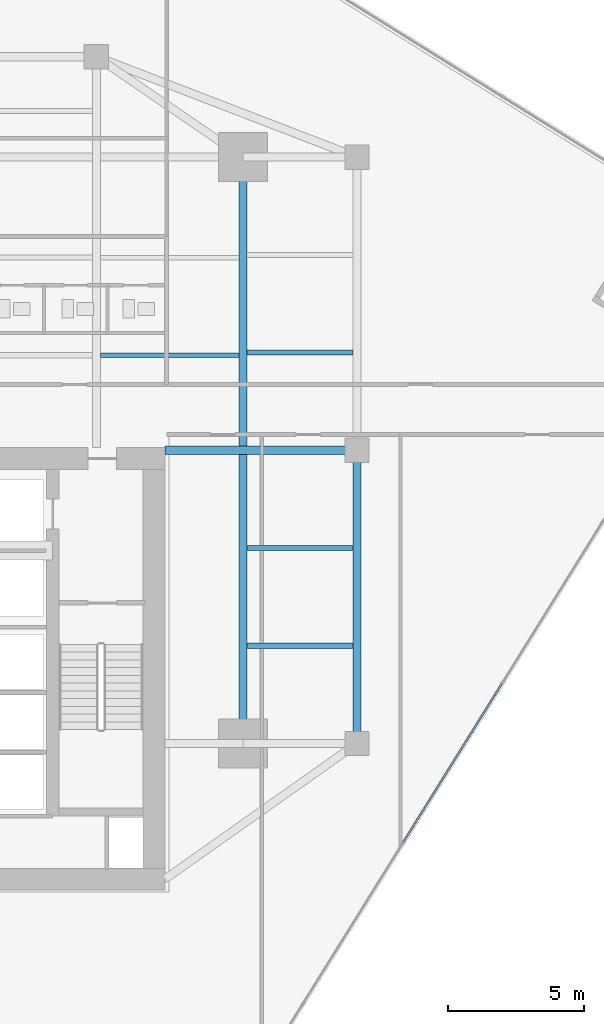
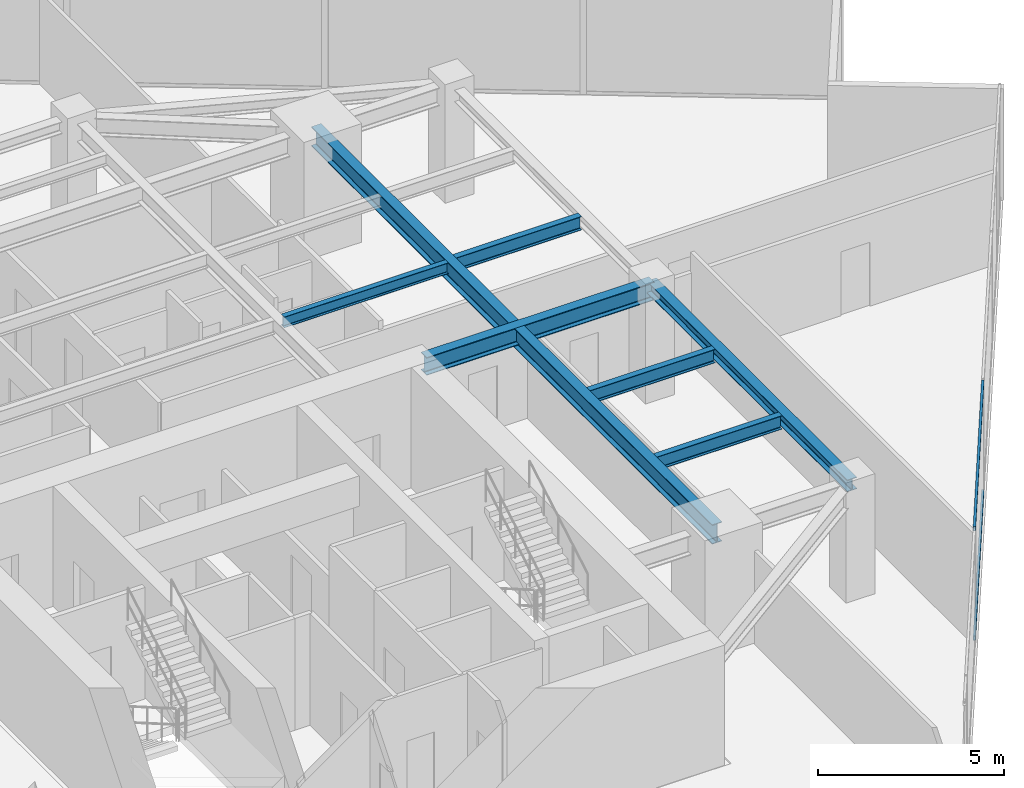
# One storey, part 10 of 26: 7 beams, 2 members, 1 element without a shape of its own.
"""IFC4 building model written with IfcOpenShell, lengths in metres."""

from ifc_helpers import new_model, si_unit, direction, frame, origin, origin_2d, place, context, subcontext, project, spatial, hollow_rectangle, i_section, extrude, source, transform, mapped, material, material_profile, profile_set, type_object, type_shapes, element, aggregate, save


model = new_model("IFC4")

# Units and contexts
model_context = context("Model", 3, precision=1e-05, world=origin(), true_north=direction((0.0, 1.0)))
body_context = subcontext(model_context, "Body", "Model", "MODEL_VIEW")
ifc_project = project(units=[si_unit("LENGTHUNIT", "METRE"), si_unit("AREAUNIT", "SQUARE_METRE"), si_unit("VOLUMEUNIT", "CUBIC_METRE"), si_unit("PLANEANGLEUNIT", "RADIAN"), si_unit("MASSUNIT", "GRAM", prefix="KILO")], contexts=[model_context])

# Site, building, storey
site_placement = place(None, origin())
site = spatial("IfcSite", under=ifc_project, at=site_placement, CompositionType="ELEMENT")
building_placement = place(site_placement, origin())
building = spatial("IfcBuilding", under=site, at=building_placement, Name="Krantzveldt Concourse Tower", CompositionType="ELEMENT")
storey_placement = place(building_placement, frame((0.0, 0.0, 173.85009765625)))
storey = spatial("IfcBuildingStorey", under=building, at=storey_placement, Name="L42", CompositionType="ELEMENT", Elevation=173.85009765625)

# Beams
ifc_material_1 = material(Name="Steel S355JR", Category="steel")
ifc_material_profile_1 = material_profile(ifc_material_1, i_section(OverallWidth=0.300048828125, OverallDepth=0.639892578125, WebThickness=0.013427734375, FlangeThickness=0.02587890625, FilletRadius=0.027099609375, at=origin_2d()), Name="Steel S355JR", Category="steel")
ifc_profile_set_1 = profile_set([ifc_material_profile_1], Name="Steel S355JR - HEA 650")
beam_type_1 = type_object("IfcBeamType", Name="BM-B-HEA650", PredefinedType="BEAM", material=ifc_profile_set_1)
shared_shape_1 = source(origin(), body_context, "Body", "SweptSolid", [
    extrude(i_section(OverallWidth=0.300048828125, OverallDepth=0.639892578125, WebThickness=0.013427734375, FlangeThickness=0.02587890625, FilletRadius=0.027099609375, at=origin_2d()), origin(), (0.0, 0.0, 1.0), 21.60009765625),
])
type_shapes(beam_type_1, [shared_shape_1])
beam_1_placement = place(storey_placement, frame((46.800048828125, 15.89990234375, 3.349853515625), z_axis=(0.0, 1.0, 0.0), x_axis=(-1.0, 0.0, 0.0)))
element("IfcBeam", 1, at=beam_1_placement, inside=storey, type_object=beam_type_1, Name="L42 Tower Girder BG-ME", PredefinedType="BEAM", context=body_context, shape_type="MappedRepresentation", body=[
    mapped(shared_shape_1, transform((0.0, 0.0, 0.0), x_axis=(1.0, 0.0, 0.0), y_axis=(0.0, 1.0, 0.0), z_axis=(0.0, 0.0, 1.0), scale=1.0)),
])
ifc_material_profile_2 = material_profile(ifc_material_1, i_section(OverallWidth=0.300048828125, OverallDepth=0.590087890625, WebThickness=0.012939453125, FlangeThickness=0.02490234375, FilletRadius=0.027099609375, at=origin_2d()), Name="Steel S355JR", Category="steel")
ifc_profile_set_2 = profile_set([ifc_material_profile_2], Name="Steel S355JR - HEA 600")
beam_type_2 = type_object("IfcBeamType", Name="BM-B-HEA600", PredefinedType="BEAM", material=ifc_profile_set_2)
shared_shape_2 = source(origin(), body_context, "Body", "SweptSolid", [
    extrude(i_section(OverallWidth=0.300048828125, OverallDepth=0.590087890625, WebThickness=0.012939453125, FlangeThickness=0.02490234375, FilletRadius=0.027099609375, at=origin_2d()), origin(), (0.0, 0.0, 1.0), 7.080078125),
])
type_shapes(beam_type_2, [shared_shape_2])
beam_2_placement = place(storey_placement, frame((43.919921875, 26.699951171875, 3.375), z_axis=(1.0, 0.0, 0.0), x_axis=(0.0, 1.0, 0.0)))
element("IfcBeam", 2, at=beam_2_placement, inside=storey, type_object=beam_type_2, Name="L42 Tower Girder BG-CE2", PredefinedType="BEAM", context=body_context, shape_type="MappedRepresentation", body=[
    mapped(shared_shape_2, transform((0.0, 0.0, 0.0), x_axis=(1.0, 0.0, 0.0), y_axis=(0.0, 1.0, 0.0), z_axis=(0.0, 0.0, 1.0), scale=1.0)),
])
ifc_material_profile_3 = material_profile(ifc_material_1, i_section(OverallWidth=0.300048828125, OverallDepth=0.389892578125, WebThickness=0.010986328125, FlangeThickness=0.01904296875, FilletRadius=0.027099609375, at=origin_2d()), Name="Steel S355JR", Category="steel")
ifc_profile_set_3 = profile_set([ifc_material_profile_3], Name="Steel S355JR - HEA 400")
beam_type_3 = type_object("IfcBeamType", Name="BM-SP-HEA400", PredefinedType="SPANDREL", material=ifc_profile_set_3)
shared_shape_3 = source(origin(), body_context, "Body", "SweptSolid", [
    extrude(i_section(OverallWidth=0.300048828125, OverallDepth=0.389892578125, WebThickness=0.010986328125, FlangeThickness=0.01904296875, FilletRadius=0.027099609375, at=origin_2d()), origin(), (0.0, 0.0, 1.0), 10.800048828125),
])
type_shapes(beam_type_3, [shared_shape_3])
beam_3_placement = place(storey_placement, frame((51.0, 26.699951171875, 3.474853515625), z_axis=(0.0, -1.0, 0.0), x_axis=(1.0, 0.0, 0.0)))
element("IfcBeam", 3, at=beam_3_placement, inside=storey, type_object=beam_type_3, Name="L42 Tower Girder SP-R07", PredefinedType="SPANDREL", context=body_context, shape_type="MappedRepresentation", body=[
    mapped(shared_shape_3, transform((0.0, 0.0, 0.0), x_axis=(1.0, 0.0, 0.0), y_axis=(0.0, 1.0, 0.0), z_axis=(0.0, 0.0, 1.0), scale=1.0)),
])
ifc_material_profile_4 = material_profile(ifc_material_1, i_section(OverallWidth=0.169921875, OverallDepth=0.360107421875, WebThickness=0.008056640625, FlangeThickness=0.0126953125, FilletRadius=0.01806640625, at=origin_2d()), Name="Steel S355JR", Category="steel")
ifc_profile_set_4 = profile_set([ifc_material_profile_4], Name="Steel S355JR - IPE 360")
beam_type_4 = type_object("IfcBeamType", Name="BM-J-IPE360", PredefinedType="JOIST", material=ifc_profile_set_4)
shared_shape_4 = source(origin(), body_context, "Body", "SweptSolid", [
    extrude(i_section(OverallWidth=0.169921875, OverallDepth=0.360107421875, WebThickness=0.008056640625, FlangeThickness=0.0126953125, FilletRadius=0.01806640625, at=origin_2d()), origin(), (0.0, 0.0, 1.0), 5.099853515625),
])
type_shapes(beam_type_4, [shared_shape_4])
beam_4_placement = place(storey_placement, frame((41.550048828125, 30.199951171875, 3.489990234375), z_axis=(1.0, 0.0, 0.0), x_axis=(0.0, 1.0, 0.0)))
element("IfcBeam", 4, at=beam_4_placement, inside=storey, type_object=beam_type_4, Name="L42 Secondary Floor Joist JN-E1", PredefinedType="JOIST", context=body_context, shape_type="MappedRepresentation", body=[
    mapped(shared_shape_4, transform((0.0, 0.0, 0.0), x_axis=(1.0, 0.0, 0.0), y_axis=(0.0, 1.0, 0.0), z_axis=(0.0, 0.0, 1.0), scale=1.0)),
])
ifc_material_profile_5 = material_profile(ifc_material_1, i_section(OverallWidth=0.18994140625, OverallDepth=0.449951171875, WebThickness=0.009521484375, FlangeThickness=0.0146484375, FilletRadius=0.02099609375, at=origin_2d()), Name="Steel S355JR", Category="steel")
ifc_profile_set_5 = profile_set([ifc_material_profile_5], Name="Steel S355JR - IPE 450")
beam_type_5 = type_object("IfcBeamType", Name="BM-J-IPE450", PredefinedType="JOIST", material=ifc_profile_set_5)
shared_shape_5 = source(origin(), body_context, "Body", "SweptSolid", [
    extrude(i_section(OverallWidth=0.18994140625, OverallDepth=0.449951171875, WebThickness=0.009521484375, FlangeThickness=0.0146484375, FilletRadius=0.02099609375, at=origin_2d()), origin(), (0.0, 0.0, 1.0), 3.900146484375),
])
type_shapes(beam_type_5, [shared_shape_5])
for number, where, z_axis, x_axis, name in (
    (5, (46.949951171875, 19.5, 3.44482421875), (1.0, 0.0, 0.0), (0.0, 1.0, 0.0), "L42 Secondary Floor Joist JE-1"),
    (6, (46.949951171875, 23.10009765625, 3.44482421875), (1.0, 0.0, 0.0), (0.0, 1.0, 0.0), "L42 Secondary Floor Joist JE-2"),
    (7, (46.949951171875, 30.300048828125, 3.44482421875), (1.0, 0.0, 0.0), (0.0, 1.0, 0.0), "L42 Secondary Floor Joist JE-3"),
):
    element("IfcBeam", number, at=place(storey_placement, frame(where, z_axis=z_axis, x_axis=x_axis)), inside=storey, type_object=beam_type_5, Name=name, PredefinedType="JOIST", context=body_context, shape_type="MappedRepresentation", body=[
        mapped(shared_shape_5, transform((0.0, 0.0, 0.0), x_axis=(1.0, 0.0, 0.0), y_axis=(0.0, 1.0, 0.0), z_axis=(0.0, 0.0, 1.0), scale=1.0)),
    ])

# Curtain wall, members
ifc_material_2 = material(Name="Anodised aluminium 6063-T6", Category="aluminium")
curtain_wall_type = type_object("IfcCurtainWallType", Name="CW3", PredefinedType="USERDEFINED", material=ifc_material_2)
curtain_wall_placement = place(storey_placement, origin())
curtain_wall = element("IfcCurtainWall", 8, at=curtain_wall_placement, inside=storey, type_object=curtain_wall_type, Name="CW-L42-F07", ObjectType="UNITISED CURTAIN WALL", PredefinedType="USERDEFINED")
ifc_material_profile_6 = material_profile(ifc_material_2, hollow_rectangle(XDim=0.070068359375, YDim=0.139892578125, WallThickness=0.0048828125, at=origin_2d()), Name="Anodised aluminium 6063-T6", Category="aluminium")
ifc_profile_set_6 = profile_set([ifc_material_profile_6], Name="Anodised aluminium 6063-T6 - ALU-TRAN 140x70x5")
member_type = type_object("IfcMemberType", Name="CW-TRN-150", PredefinedType="USERDEFINED", material=ifc_profile_set_6)
shared_shape_6 = source(origin(), body_context, "Body", "SweptSolid", [
    extrude(hollow_rectangle(XDim=0.070068359375, YDim=0.139892578125, WallThickness=0.0048828125, at=origin_2d()), origin(), (0.0, 0.0, 1.0), 6.89013671875),
])
type_shapes(member_type, [shared_shape_6])
member_1_placement = place(storey_placement, frame((52.701904296875, 12.25732421875, 0.034912109375), z_axis=(0.528067429464, 0.849202443437, 0.0), x_axis=(-0.849202443437, 0.528067429464, 0.0)))
member_1 = element("IfcMember", 9, at=member_1_placement, type_object=member_type, Name="CW-Z34 transom 3.1", ObjectType="TRANSOM", PredefinedType="USERDEFINED", context=body_context, shape_type="MappedRepresentation", body=[
    mapped(shared_shape_6, transform((0.0, 0.0, 0.0), x_axis=(1.0, 0.0, 0.0), y_axis=(0.0, 1.0, 0.0), z_axis=(0.0, 0.0, 1.0), scale=1.0)),
])
member_2_placement = place(storey_placement, frame((52.701904296875, 12.25732421875, 3.635009765625), z_axis=(0.528067429464, 0.849202443437, 0.0), x_axis=(-0.849202443437, 0.528067429464, 0.0)))
member_2 = element("IfcMember", 10, at=member_2_placement, type_object=member_type, Name="CW-Z34 transom 3.2", ObjectType="TRANSOM", PredefinedType="USERDEFINED", context=body_context, shape_type="MappedRepresentation", body=[
    mapped(shared_shape_6, transform((0.0, 0.0, 0.0), x_axis=(1.0, 0.0, 0.0), y_axis=(0.0, 1.0, 0.0), z_axis=(0.0, 0.0, 1.0), scale=1.0)),
])
aggregate(curtain_wall, [member_1, member_2])

save(model, "model.ifc")
